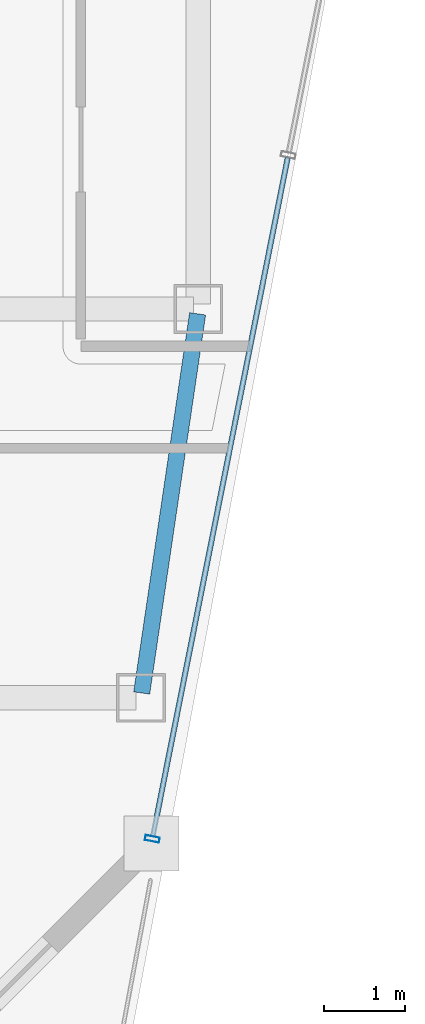
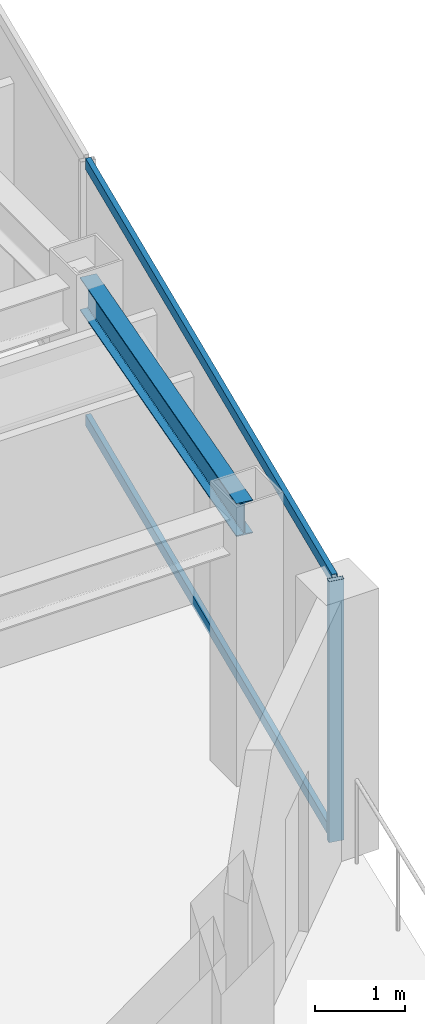
# One storey, part 10 of 20: 3 members, 1 beam, 1 element without a shape of its own.
"""IFC4 building model written with IfcOpenShell, lengths in metres."""

from ifc_helpers import new_model, si_unit, direction, frame, origin, origin_2d, place, context, subcontext, project, spatial, hollow_rectangle, i_section, extrude, material, material_profile, profile_set, type_object, element, aggregate, save


model = new_model("IFC4")

# Units and contexts
model_context = context("Model", 3, precision=1e-05, world=origin(), true_north=direction((0.0, 1.0)))
body_context = subcontext(model_context, "Body", "Model", "MODEL_VIEW")
ifc_project = project(units=[si_unit("LENGTHUNIT", "METRE"), si_unit("AREAUNIT", "SQUARE_METRE"), si_unit("VOLUMEUNIT", "CUBIC_METRE"), si_unit("PLANEANGLEUNIT", "RADIAN"), si_unit("MASSUNIT", "GRAM", prefix="KILO")], contexts=[model_context])

# Site, building, storey
site_placement = place(None, origin())
site = spatial("IfcSite", under=ifc_project, at=site_placement, CompositionType="ELEMENT")
building_placement = place(site_placement, origin())
building = spatial("IfcBuilding", under=site, at=building_placement, Name="Saevonmaru Cultural Tower", CompositionType="ELEMENT")
storey_placement = place(building_placement, frame((0.0, 0.0, 295.199951171875)))
storey = spatial("IfcBuildingStorey", under=building, at=storey_placement, Name="L70", CompositionType="ELEMENT", Elevation=295.199951171875)

# Beam
ifc_material_1 = material(Name="Steel SM355", Category="steel")
ifc_material_profile_1 = material_profile(ifc_material_1, i_section(OverallWidth=0.199951171875, OverallDepth=0.449951171875, WebThickness=0.009033203125, FlangeThickness=0.013916015625, FilletRadius=0.01806640625, at=origin_2d()), Name="H-450x200x9x14")
ifc_profile_set_1 = profile_set([ifc_material_profile_1], Name="Steel SM355")
beam_type = type_object("IfcBeamType", Name="BM-SP-H450", PredefinedType="SPANDREL", material=ifc_profile_set_1)
beam_placement = place(storey_placement, frame((52.500732421875, 37.659423828125, 3.324951171875), z_axis=(0.145912860028, 0.989297446312, 0.0), x_axis=(-0.989297446312, 0.145912860028, 0.0)))
element("IfcBeam", 1, at=beam_placement, inside=storey, type_object=beam_type, Name="L70 East Splayed Spandrel 1", PredefinedType="SPANDREL", context=body_context, shape_type="SweptSolid", body=[
    extrude(i_section(OverallWidth=0.199951171875, OverallDepth=0.449951171875, WebThickness=0.009033203125, FlangeThickness=0.013916015625, FilletRadius=0.01806640625, at=origin_2d()), origin(), (0.0, 0.0, 1.0), 4.731689453125),
])

# Curtain wall, members
ifc_material_2 = material(Name="Satin Bronze Anodised Aluminium", Category="aluminium")
curtain_wall_type = type_object("IfcCurtainWallType", Name="CW-TYP-B", PredefinedType="NOTDEFINED", material=ifc_material_2)
curtain_wall_placement = place(storey_placement, origin())
curtain_wall = element("IfcCurtainWall", 2, at=curtain_wall_placement, inside=storey, type_object=curtain_wall_type, Name="L70 Unitised Curtain Wall E8", PredefinedType="NOTDEFINED")
ifc_material_profile_2 = material_profile(ifc_material_2, hollow_rectangle(XDim=0.06494140625, YDim=0.179931640625, WallThickness=0.00390625, at=origin_2d()), Name="ALU-MULL-180x65x4")
ifc_profile_set_2 = profile_set([ifc_material_profile_2], Name="Satin Bronze Anodised Aluminium")
member_type_1 = type_object("IfcMemberType", Name="ML-CW-180x65", PredefinedType="MULLION", material=ifc_profile_set_2)
member_1_placement = place(storey_placement, frame((52.631591796875, 35.85888671875, 0.0), z_axis=(0.0, 0.0, 1.0), x_axis=(0.195005484813, 0.980802151758, 0.0)))
member_1 = element("IfcMember", 3, at=member_1_placement, type_object=member_type_1, Name="CW-TW-L70-E8 mullion 1", PredefinedType="MULLION", context=body_context, shape_type="SweptSolid", body=[
    extrude(hollow_rectangle(XDim=0.06494140625, YDim=0.179931640625, WallThickness=0.00390625, at=origin_2d()), origin(), (0.0, 0.0, 1.0), 3.550048828125),
])
ifc_material_profile_3 = material_profile(ifc_material_2, hollow_rectangle(XDim=0.06494140625, YDim=0.14990234375, WallThickness=0.00390625, at=origin_2d()), Name="ALU-TRAN-150x65x4")
ifc_profile_set_3 = profile_set([ifc_material_profile_3], Name="Satin Bronze Anodised Aluminium")
member_type_2 = type_object("IfcMemberType", Name="TR-CW-150x65", PredefinedType="USERDEFINED", material=ifc_profile_set_3)
member_2_placement = place(storey_placement, frame((52.637939453125, 35.890625, 0.032470703125), z_axis=(0.195022161716, 0.980798835868, 0.0), x_axis=(-0.980798835868, 0.195022161716, 0.0)))
member_2 = element("IfcMember", 4, at=member_2_placement, type_object=member_type_2, Name="CW-TW-L70-E8 transom 1.1", ObjectType="TRANSOM", PredefinedType="USERDEFINED", context=body_context, shape_type="SweptSolid", body=[
    extrude(hollow_rectangle(XDim=0.06494140625, YDim=0.14990234375, WallThickness=0.00390625, at=origin_2d()), origin(), (0.0, 0.0, 1.0), 8.54150390625),
])
member_3_placement = place(storey_placement, frame((52.637939453125, 35.890625, 3.517578125), z_axis=(0.195022161716, 0.980798835868, 0.0), x_axis=(-0.980798835868, 0.195022161716, 0.0)))
member_3 = element("IfcMember", 5, at=member_3_placement, type_object=member_type_2, Name="CW-TW-L70-E8 transom 1.2", ObjectType="TRANSOM", PredefinedType="USERDEFINED", context=body_context, shape_type="SweptSolid", body=[
    extrude(hollow_rectangle(XDim=0.06494140625, YDim=0.14990234375, WallThickness=0.00390625, at=origin_2d()), origin(), (0.0, 0.0, 1.0), 8.54150390625),
])
aggregate(curtain_wall, [member_1, member_2, member_3])

save(model, "model.ifc")
